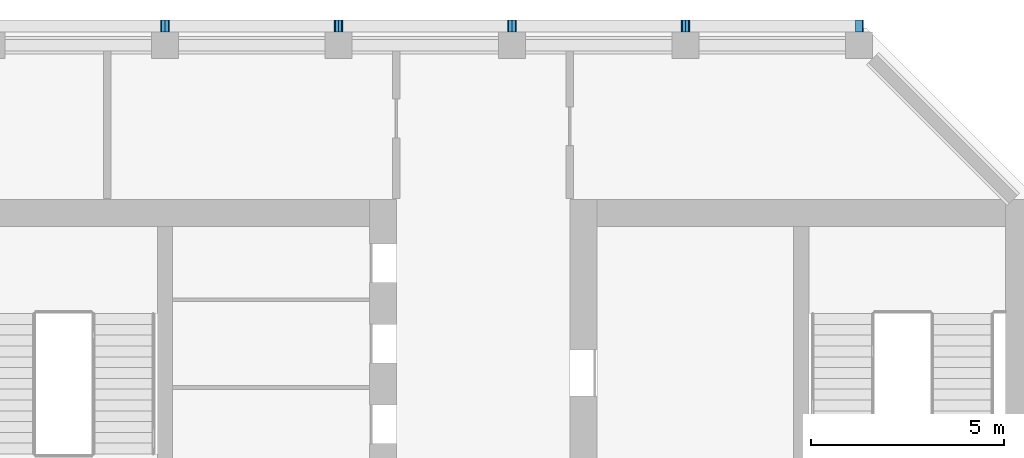
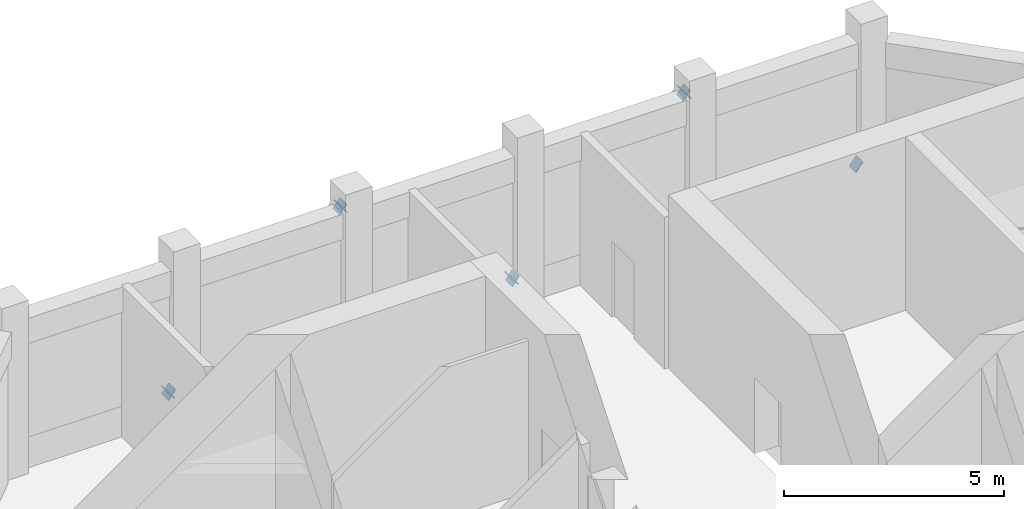
# One storey, part 5 of 6: 9 discrete accessories.
"""IFC4 building model written with IfcOpenShell, lengths in metres."""

from ifc_helpers import new_model, si_unit, direction, frame, origin, origin_2d, place, context, subcontext, project, spatial, rectangle, extrude, material, material_profile, profile_set, type_object, element, save


model = new_model("IFC4")

# Units and contexts
model_context = context("Model", 3, precision=1e-05, world=origin(), true_north=direction((0.0, 1.0)))
body_context = subcontext(model_context, "Body", "Model", "MODEL_VIEW")
ifc_project = project(units=[si_unit("LENGTHUNIT", "METRE"), si_unit("AREAUNIT", "SQUARE_METRE"), si_unit("VOLUMEUNIT", "CUBIC_METRE"), si_unit("PLANEANGLEUNIT", "RADIAN"), si_unit("MASSUNIT", "GRAM", prefix="KILO")], contexts=[model_context])

# Site, building, storey
site_placement = place(None, origin())
site = spatial("IfcSite", under=ifc_project, at=site_placement, CompositionType="ELEMENT")
building_placement = place(site_placement, origin())
building = spatial("IfcBuilding", under=site, at=building_placement, Name="Corbel Stack Research Tower", CompositionType="ELEMENT")
storey_placement = place(building_placement, frame((0.0, 0.0, 321.39990234375)))
storey = spatial("IfcBuildingStorey", under=building, at=storey_placement, Name="L72", CompositionType="ELEMENT", Elevation=321.39990234375)

# Discrete accessories
ifc_material = material(Name="Steel S355", Category="steel")
ifc_material_profile = material_profile(ifc_material, rectangle(XDim=0.304931640625, YDim=0.304931640625, at=origin_2d()), Name="End plate 305x305x25")
ifc_profile_set = profile_set([ifc_material_profile], Name="Steel S355")
discrete_accessory_type = type_object("IfcDiscreteAccessoryType", Name="End plate 305x305x25", PredefinedType="ANCHORPLATE", material=ifc_profile_set)
for number, where, z_axis, x_axis, name in (
    (1, (13.5, 23.00244140625, 0.300048828125), (0.785636314678, 0.0, -0.618688597809), (0.0, 1.0, 0.0), "Brace end plate L72-01a"),
    (2, (9.0, 23.00244140625, 3.85009765625), (-0.785636314678, 0.0, 0.618688597809), (0.0, -1.0, 0.0), "Brace end plate L72-01b"),
    (3, (4.5, 23.00244140625, 0.300048828125), (-0.785636314678, 0.0, -0.618688597809), (0.0, -1.0, 0.0), "Brace end plate L72-02a"),
    (4, (9.0, 23.00244140625, 3.85009765625), (0.785636314678, 0.0, 0.618688597809), (0.0, 1.0, 0.0), "Brace end plate L72-02b"),
    (5, (4.5, 23.00244140625, 0.300048828125), (0.785636314678, 0.0, -0.618688597809), (0.0, 1.0, 0.0), "Brace end plate L72-03a"),
    (6, (0.0, 23.00244140625, 3.85009765625), (-0.785636314678, 0.0, 0.618688597809), (0.0, -1.0, 0.0), "Brace end plate L72-03b"),
    (7, (-4.5, 23.00244140625, 0.300048828125), (-0.785636314678, 0.0, -0.618688597809), (0.0, -1.0, 0.0), "Brace end plate L72-04a"),
    (8, (0.0, 23.00244140625, 3.85009765625), (0.785636314678, 0.0, 0.618688597809), (0.0, 1.0, 0.0), "Brace end plate L72-04b"),
    (9, (-4.5, 23.00244140625, 0.300048828125), (0.785636314678, 0.0, -0.618688597809), (0.0, 1.0, 0.0), "Brace end plate L72-05a"),
):
    element("IfcDiscreteAccessory", number, at=place(storey_placement, frame(where, z_axis=z_axis, x_axis=x_axis)), inside=storey, type_object=discrete_accessory_type, Name=name, PredefinedType="ANCHORPLATE", context=body_context, shape_type="SweptSolid", body=[
        extrude(rectangle(XDim=0.304931640625, YDim=0.304931640625, at=origin_2d()), origin(), (0.0, 0.0, 1.0), 0.02490234375),
    ])

save(model, "model.ifc")
